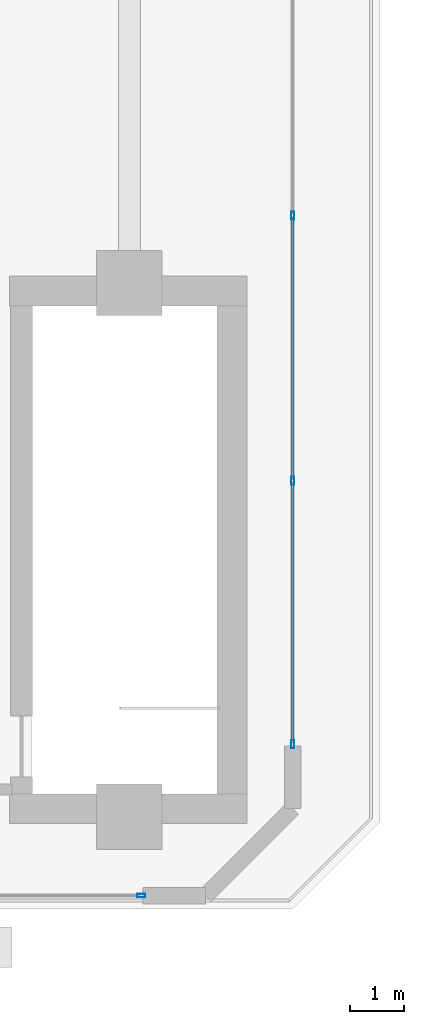
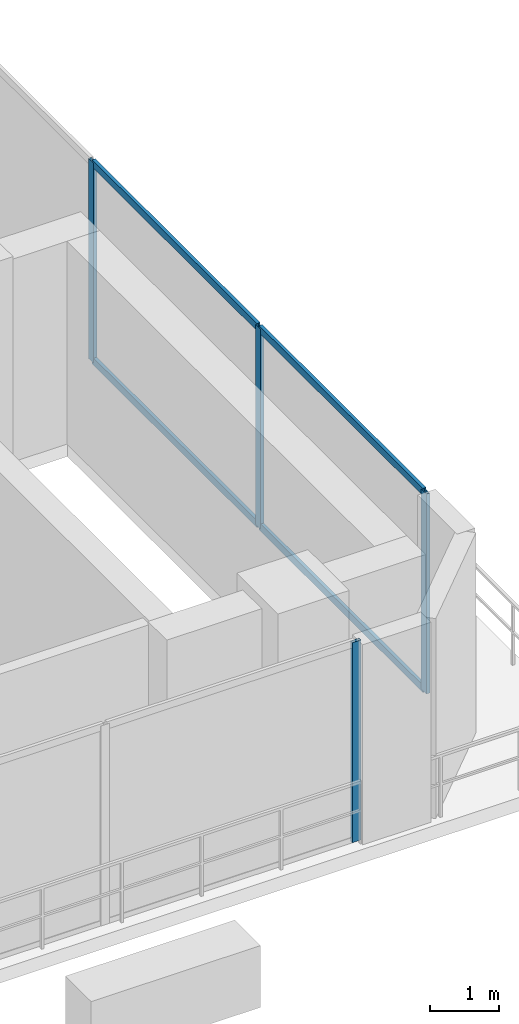
# One storey, part 12 of 26: 8 members, 2 elements without a shape of their own.
"""IFC4 building model written with IfcOpenShell, lengths in metres."""

from ifc_helpers import new_model, si_unit, direction, frame, origin, origin_2d, place, context, subcontext, project, spatial, hollow_rectangle, extrude, material, layer, layer_set, material_profile, profile_set, type_object, element, aggregate, save


model = new_model("IFC4")

# Units and contexts
model_context = context("Model", 3, precision=1e-05, world=origin(), true_north=direction((0.0, 1.0)))
body_context = subcontext(model_context, "Body", "Model", "MODEL_VIEW")
ifc_project = project(units=[si_unit("LENGTHUNIT", "METRE"), si_unit("AREAUNIT", "SQUARE_METRE"), si_unit("VOLUMEUNIT", "CUBIC_METRE"), si_unit("PLANEANGLEUNIT", "RADIAN"), si_unit("MASSUNIT", "GRAM", prefix="KILO")], contexts=[model_context])

# Site, building, storey
site_placement = place(None, origin())
site = spatial("IfcSite", under=ifc_project, at=site_placement, CompositionType="ELEMENT")
building_placement = place(site_placement, origin())
building = spatial("IfcBuilding", under=site, at=building_placement, Name="Zuhayl Quay Hotel", CompositionType="ELEMENT")
storey_placement = place(building_placement, frame((0.0, 0.0, 301.050048828125)))
storey = spatial("IfcBuildingStorey", under=building, at=storey_placement, Name="Crown 2", CompositionType="ELEMENT", Elevation=301.050048828125)

# Curtain wall, members
ifc_material_1 = material(Name="Anodised Aluminium 6063-T6", Category="aluminium")
ifc_layer = layer(ifc_material_1, 0.159912109375, Name="Anodised Aluminium 6063-T6", Category="aluminium")
ifc_layer_set = layer_set([ifc_layer], Name="Anodised Aluminium 6063-T6")
curtain_wall_type = type_object("IfcCurtainWallType", Name="CW_SYS_CRN", PredefinedType="USERDEFINED", material=ifc_layer_set)
curtain_wall_1_placement = place(storey_placement, origin())
curtain_wall_1 = element("IfcCurtainWall", 1, at=curtain_wall_1_placement, inside=storey, type_object=curtain_wall_type, Name="Crown 2 Curtain Wall ENV_CR2_E5_CW2", ObjectType="UNITISED CURTAIN WALL", PredefinedType="USERDEFINED")
ifc_material_2 = material(Name="Black-anodised aluminium 6063-T6", Category="aluminium")
ifc_material_profile_1 = material_profile(ifc_material_2, hollow_rectangle(XDim=0.06005859375, YDim=0.14990234375, WallThickness=0.00341796875, at=origin_2d()), Name="ALU150X60")
ifc_profile_set_1 = profile_set([ifc_material_profile_1], Name="Black-anodised aluminium 6063-T6")
member_type_1 = type_object("IfcMemberType", Name="MB_CW_MUL_150", PredefinedType="MULLION", material=ifc_profile_set_1)
member_1_placement = place(storey_placement, frame((16.800048828125, 15.58740234375, 0.0), z_axis=(0.0, 0.0, 1.0), x_axis=(1.0, 0.0, 0.0)))
member_1 = element("IfcMember", 2, at=member_1_placement, type_object=member_type_1, Name="CW-CRN mullion 3", PredefinedType="MULLION", context=body_context, shape_type="SweptSolid", body=[
    extrude(hollow_rectangle(XDim=0.06005859375, YDim=0.14990234375, WallThickness=0.00341796875, at=origin_2d()), origin(), (0.0, 0.0, 1.0), 3.56005859375),
])
member_2_placement = place(storey_placement, frame((16.800048828125, 10.71875, 0.0), z_axis=(0.0, 0.0, 1.0), x_axis=(1.0, 0.0, 0.0)))
member_2 = element("IfcMember", 3, at=member_2_placement, type_object=member_type_1, Name="CW-CRN mullion 4", PredefinedType="MULLION", context=body_context, shape_type="SweptSolid", body=[
    extrude(hollow_rectangle(XDim=0.06005859375, YDim=0.14990234375, WallThickness=0.00341796875, at=origin_2d()), origin(), (0.0, 0.0, 1.0), 3.56005859375),
])
member_3_placement = place(storey_placement, frame((16.800048828125, 5.8798828125, 0.0), z_axis=(0.0, 0.0, 1.0), x_axis=(1.0, 0.0, 0.0)))
member_3 = element("IfcMember", 4, at=member_3_placement, type_object=member_type_1, Name="CW-CRN mullion 5", PredefinedType="MULLION", context=body_context, shape_type="SweptSolid", body=[
    extrude(hollow_rectangle(XDim=0.06005859375, YDim=0.14990234375, WallThickness=0.00341796875, at=origin_2d()), origin(), (0.0, 0.0, 1.0), 3.56005859375),
])

# Curtain wall, member
curtain_wall_2_placement = place(storey_placement, origin())
curtain_wall_2 = element("IfcCurtainWall", 5, at=curtain_wall_2_placement, inside=storey, type_object=curtain_wall_type, Name="Crown 2 Curtain Wall ENV_CR2_E7_CW1", ObjectType="UNITISED CURTAIN WALL", PredefinedType="USERDEFINED")
member_4_placement = place(storey_placement, frame((14.02001953125, 3.10009765625, 0.0), z_axis=(0.0, 0.0, 1.0), x_axis=(0.0, -1.0, 0.0)))
member_4 = element("IfcMember", 6, at=member_4_placement, type_object=member_type_1, Name="CW-CRN mullion 1", PredefinedType="MULLION", context=body_context, shape_type="SweptSolid", body=[
    extrude(hollow_rectangle(XDim=0.06005859375, YDim=0.14990234375, WallThickness=0.00341796875, at=origin_2d()), origin(), (0.0, 0.0, 1.0), 3.56005859375),
])
aggregate(curtain_wall_2, [member_4])

# Member
ifc_material_profile_2 = material_profile(ifc_material_2, hollow_rectangle(XDim=0.054931640625, YDim=0.1298828125, WallThickness=0.0029296875, at=origin_2d()), Name="ALU130X55")
ifc_profile_set_2 = profile_set([ifc_material_profile_2], Name="Black-anodised aluminium 6063-T6")
member_type_2 = type_object("IfcMemberType", Name="MB_CW_TRN_130", PredefinedType="USERDEFINED", material=ifc_profile_set_2)
member_5_placement = place(storey_placement, frame((16.800048828125, 15.5576171875, 0.02734375), z_axis=(0.0, -1.0, 0.0), x_axis=(1.0, 0.0, 0.0)))
member_5 = element("IfcMember", 7, at=member_5_placement, type_object=member_type_2, Name="CW-CRN transom 3.1", ObjectType="TRANSOM", PredefinedType="USERDEFINED", context=body_context, shape_type="SweptSolid", body=[
    extrude(hollow_rectangle(XDim=0.054931640625, YDim=0.1298828125, WallThickness=0.0029296875, at=origin_2d()), origin(), (0.0, 0.0, 1.0), 4.808837890625),
])

member_6_placement = place(storey_placement, frame((16.800048828125, 15.5576171875, 3.532470703125), z_axis=(0.0, -1.0, 0.0), x_axis=(1.0, 0.0, 0.0)))
member_6 = element("IfcMember", 8, at=member_6_placement, type_object=member_type_2, Name="CW-CRN transom 3.2", ObjectType="TRANSOM", PredefinedType="USERDEFINED", context=body_context, shape_type="SweptSolid", body=[
    extrude(hollow_rectangle(XDim=0.054931640625, YDim=0.1298828125, WallThickness=0.0029296875, at=origin_2d()), origin(), (0.0, 0.0, 1.0), 4.808837890625),
])

member_7_placement = place(storey_placement, frame((16.800048828125, 10.688720703125, 0.02734375), z_axis=(0.0, -1.0, 0.0), x_axis=(1.0, 0.0, 0.0)))
member_7 = element("IfcMember", 9, at=member_7_placement, type_object=member_type_2, Name="CW-CRN transom 4.1", ObjectType="TRANSOM", PredefinedType="USERDEFINED", context=body_context, shape_type="SweptSolid", body=[
    extrude(hollow_rectangle(XDim=0.054931640625, YDim=0.1298828125, WallThickness=0.0029296875, at=origin_2d()), origin(), (0.0, 0.0, 1.0), 4.77880859375),
])

member_8_placement = place(storey_placement, frame((16.800048828125, 10.688720703125, 3.532470703125), z_axis=(0.0, -1.0, 0.0), x_axis=(1.0, 0.0, 0.0)))
member_8 = element("IfcMember", 10, at=member_8_placement, type_object=member_type_2, Name="CW-CRN transom 4.2", ObjectType="TRANSOM", PredefinedType="USERDEFINED", context=body_context, shape_type="SweptSolid", body=[
    extrude(hollow_rectangle(XDim=0.054931640625, YDim=0.1298828125, WallThickness=0.0029296875, at=origin_2d()), origin(), (0.0, 0.0, 1.0), 4.77880859375),
])

aggregate(curtain_wall_1, [member_1, member_2, member_3, member_5, member_6, member_7, member_8])

save(model, "model.ifc")
